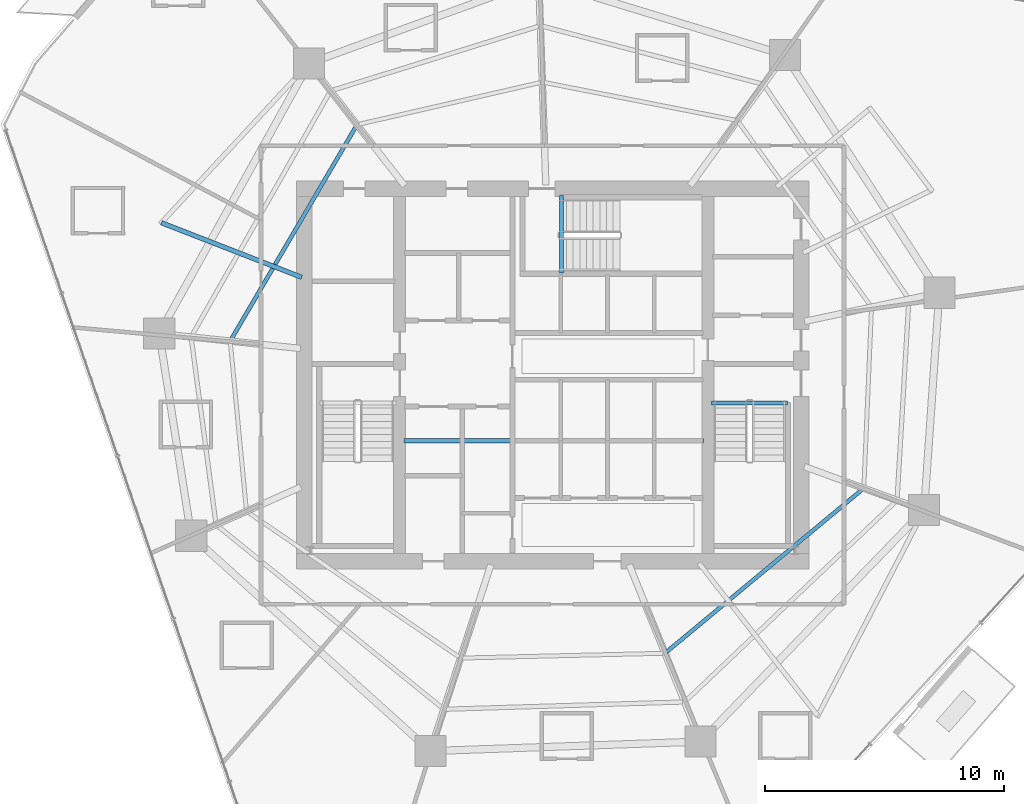
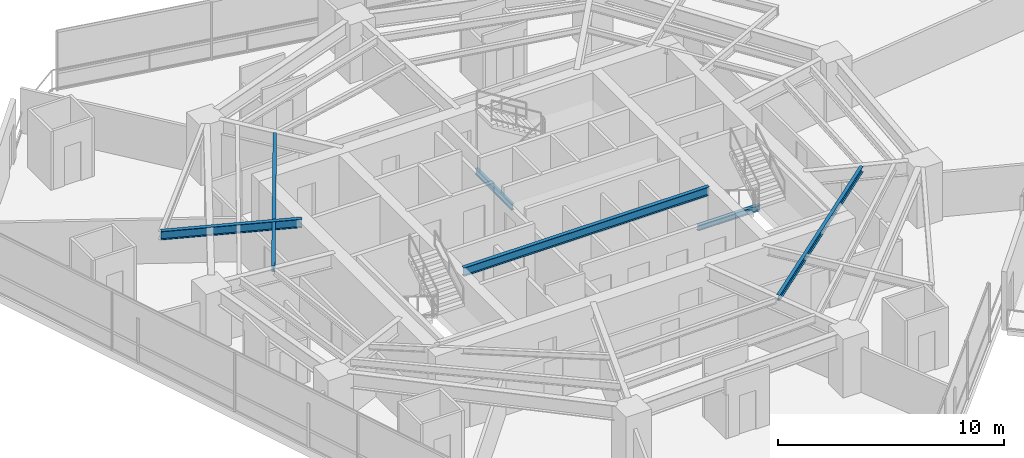
# One storey, part 10 of 33: 6 beams.
"""IFC4 building model written with IfcOpenShell, lengths in metres."""

from ifc_helpers import new_model, si_unit, direction, frame, origin, origin_2d, place, context, subcontext, project, spatial, i_section, extrude, material, material_profile, profile_set, type_object, element, save


model = new_model("IFC4")

# Units and contexts
model_context = context("Model", 3, precision=1e-05, world=origin(), true_north=direction((0.0, 1.0)))
body_context = subcontext(model_context, "Body", "Model", "MODEL_VIEW")
ifc_project = project(units=[si_unit("LENGTHUNIT", "METRE"), si_unit("AREAUNIT", "SQUARE_METRE"), si_unit("VOLUMEUNIT", "CUBIC_METRE"), si_unit("PLANEANGLEUNIT", "RADIAN"), si_unit("MASSUNIT", "GRAM", prefix="KILO")], contexts=[model_context])

# Site, building, storey
site_placement = place(None, origin())
site = spatial("IfcSite", under=ifc_project, at=site_placement, CompositionType="ELEMENT")
building_placement = place(site_placement, origin())
building = spatial("IfcBuilding", under=site, at=building_placement, Name="Qarnah Convention Tower", CompositionType="ELEMENT")
storey_placement = place(building_placement, frame((0.0, 0.0, 27.0)))
storey = spatial("IfcBuildingStorey", under=building, at=storey_placement, Name="L05", CompositionType="ELEMENT", Elevation=27.0)

# Beams
ifc_material = material(Name="Structural steel S355JR", Category="steel")
ifc_material_profile_1 = material_profile(ifc_material, i_section(OverallWidth=0.19189453125, OverallDepth=0.464111328125, WebThickness=0.010986328125, FlangeThickness=0.01806640625, at=origin_2d()), Name="W460X89")
ifc_profile_set_1 = profile_set([ifc_material_profile_1], Name="Structural steel S355JR")
beam_type_1 = type_object("IfcBeamType", Name="BM-CANT-W460A", PredefinedType="BEAM", material=ifc_profile_set_1)
beam_1_placement = place(storey_placement, frame((30.97998046875, 23.64990234375, 2.93798828125), z_axis=(1.0, 0.0, 0.0), x_axis=(0.0, 1.0, 0.0)))
element("IfcBeam", 1, at=beam_1_placement, inside=storey, type_object=beam_type_1, Name="L05 beam BM-L05-KC1", PredefinedType="BEAM", context=body_context, shape_type="SweptSolid", body=[
    extrude(i_section(OverallWidth=0.19189453125, OverallDepth=0.464111328125, WebThickness=0.010986328125, FlangeThickness=0.01806640625, at=origin_2d()), origin(), (0.0, 0.0, 1.0), 12.5400390625),
])
beam_2_placement = place(storey_placement, frame((26.70703125, 30.48388671875, 2.93798828125), z_axis=(-0.931897088326, 0.36272278226, 0.0), x_axis=(-0.36272278226, -0.931897088326, 0.0)))
element("IfcBeam", 2, at=beam_2_placement, inside=storey, type_object=beam_type_1, Name="L05 beam BM-L05-CNT-02-2", PredefinedType="BEAM", context=body_context, shape_type="SweptSolid", body=[
    extrude(i_section(OverallWidth=0.19189453125, OverallDepth=0.464111328125, WebThickness=0.010986328125, FlangeThickness=0.01806640625, at=origin_2d()), origin(), (0.0, 0.0, 1.0), 6.305419921875),
])
ifc_material_profile_2 = material_profile(ifc_material, i_section(OverallWidth=0.166015625, OverallDepth=0.31201171875, WebThickness=0.007080078125, FlangeThickness=0.010986328125, at=origin_2d()), Name="W310X45")
ifc_profile_set_2 = profile_set([ifc_material_profile_2], Name="Structural steel S355JR")
beam_type_2 = type_object("IfcBeamType", Name="BM-JST-W310", PredefinedType="JOIST", material=ifc_profile_set_2)
beam_3_placement = place(storey_placement, frame((43.860107421875, 25.217041015625, -0.156005859375), z_axis=(1.0, 0.0, 0.0), x_axis=(0.0, 1.0, 0.0)))
element("IfcBeam", 3, at=beam_3_placement, inside=storey, type_object=beam_type_2, Name="L05 stair landing trimmer beam BM-L05-ST2-TRM", PredefinedType="BEAM", context=body_context, shape_type="SweptSolid", body=[
    extrude(i_section(OverallWidth=0.166015625, OverallDepth=0.31201171875, WebThickness=0.007080078125, FlangeThickness=0.010986328125, at=origin_2d()), origin(), (0.0, 0.0, 1.0), 3.179931640625),
])
beam_4_placement = place(storey_placement, frame((37.5830078125, 30.659912109375, -0.156005859375), z_axis=(0.0, 1.0, 0.0), x_axis=(-1.0, 0.0, 0.0)))
element("IfcBeam", 4, at=beam_4_placement, inside=storey, type_object=beam_type_2, Name="L05 stair landing trimmer beam BM-L05-ST3-TRM", PredefinedType="BEAM", context=body_context, shape_type="SweptSolid", body=[
    extrude(i_section(OverallWidth=0.166015625, OverallDepth=0.31201171875, WebThickness=0.007080078125, FlangeThickness=0.010986328125, at=origin_2d()), origin(), (0.0, 0.0, 1.0), 3.239990234375),
])
beam_5_placement = place(storey_placement, frame((28.971923828125, 36.794921875, 3.013916015625), z_axis=(-0.505662399999, -0.862731439804, 0.0), x_axis=(0.862731439804, -0.505662399999, 0.0)))
element("IfcBeam", 5, at=beam_5_placement, inside=storey, type_object=beam_type_2, Name="L05 joist BM-L05-IJST-04", PredefinedType="JOIST", context=body_context, shape_type="SweptSolid", body=[
    extrude(i_section(OverallWidth=0.166015625, OverallDepth=0.31201171875, WebThickness=0.007080078125, FlangeThickness=0.010986328125, at=origin_2d()), origin(), (0.0, 0.0, 1.0), 10.31494140625),
])
beam_6_placement = place(storey_placement, frame((41.97509765625, 14.80908203125, 3.013916015625), z_axis=(0.769463521511, 0.638690761687, 0.0), x_axis=(-0.638690761687, 0.769463521511, 0.0)))
element("IfcBeam", 6, at=beam_6_placement, inside=storey, type_object=beam_type_2, Name="L05 joist BM-L05-IJST-08", PredefinedType="JOIST", context=body_context, shape_type="SweptSolid", body=[
    extrude(i_section(OverallWidth=0.166015625, OverallDepth=0.31201171875, WebThickness=0.007080078125, FlangeThickness=0.010986328125, at=origin_2d()), origin(), (0.0, 0.0, 1.0), 10.6357421875),
])

save(model, "model.ifc")
